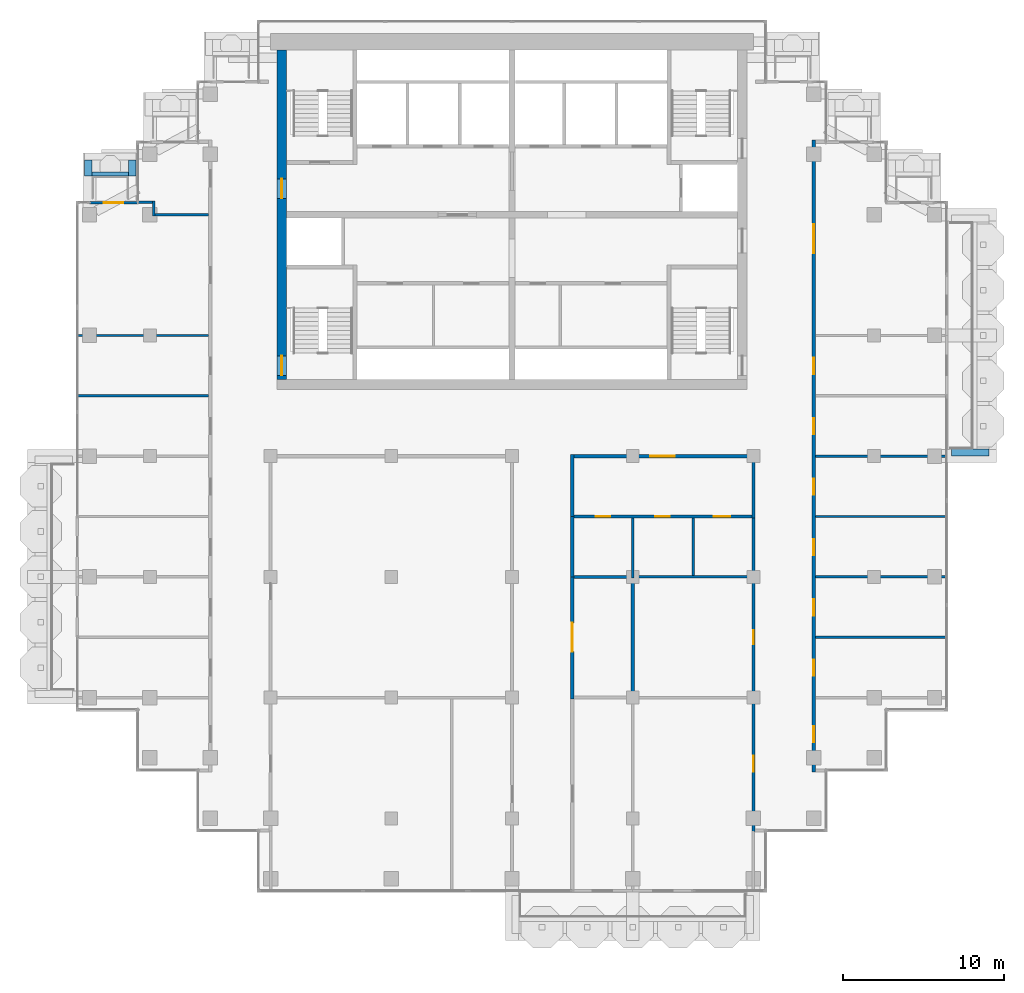
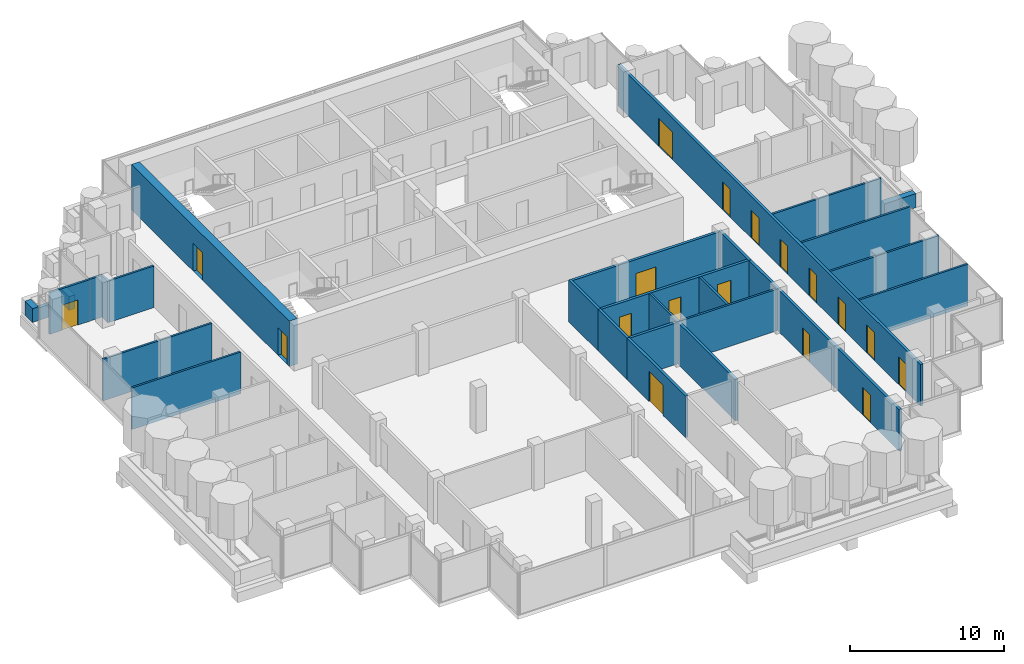
# One storey, part 12 of 19: 28 walls, 18 doors, 18 openings.
"""IFC4 building model written with IfcOpenShell, lengths in metres."""

from ifc_helpers import new_model, si_unit, direction, frame, frame_2d, origin, place, context, subcontext, project, spatial, rectangle, extrude, material, layer, layer_set, type_object, element, fill, save


model = new_model("IFC4")

# Units and contexts
model_context = context("Model", 3, precision=1e-05, world=origin(), true_north=direction((0.0, 1.0)))
body_context = subcontext(model_context, "Body", "Model", "MODEL_VIEW")
ifc_project = project(units=[si_unit("LENGTHUNIT", "METRE"), si_unit("AREAUNIT", "SQUARE_METRE"), si_unit("VOLUMEUNIT", "CUBIC_METRE"), si_unit("PLANEANGLEUNIT", "RADIAN"), si_unit("MASSUNIT", "GRAM", prefix="KILO")], contexts=[model_context])

# Site, building, storey
site_placement = place(None, origin())
site = spatial("IfcSite", under=ifc_project, at=site_placement, CompositionType="ELEMENT")
building_placement = place(site_placement, origin())
building = spatial("IfcBuilding", under=site, at=building_placement, Name="Pilkhan Gate Tower", CompositionType="ELEMENT")
storey_placement = place(building_placement, frame((0.0, 0.0, 239.10009765625)))
storey = spatial("IfcBuildingStorey", under=building, at=storey_placement, Name="L62", CompositionType="ELEMENT", Elevation=239.10009765625)

# Walls
ifc_material_1 = material(Name="Concrete C40/50", Category="concrete")
ifc_layer_1 = layer(ifc_material_1, 0.25)
ifc_layer_set_1 = layer_set([ifc_layer_1], Name="Balcony planter BP250")
wall_type_1 = type_object("IfcWallType", Name="Balcony planter BP250", PredefinedType="USERDEFINED", material=ifc_layer_set_1)
wall_1_placement = place(storey_placement, frame((48.89990234375, 85.02490234375, 0.0), z_axis=(0.0, 0.0, 1.0), x_axis=(1.0, 0.0, 0.0)))
element("IfcWall", 1, at=wall_1_placement, inside=storey, type_object=wall_type_1, Name="Balcony planter L62 N", ObjectType="BALCONY PLANTER", PredefinedType="USERDEFINED", context=body_context, shape_type="SweptSolid", body=[
    extrude(rectangle(XDim=2.280029296875, YDim=0.25, at=frame_2d((1.14013671875, 0.0))), origin(), (0.0, 0.0, 1.0), 1.0),
])
ifc_material_2 = material(Name="Board-marked Concrete C40/50", Category="concrete")
ifc_layer_2 = layer(ifc_material_2, 0.449951171875)
ifc_layer_set_2 = layer_set([ifc_layer_2], Name="Balcony planter lip BL450")
wall_type_2 = type_object("IfcWallType", Name="Balcony planter lip BL450", PredefinedType="USERDEFINED", material=ifc_layer_set_2)
wall_2_placement = place(storey_placement, frame((102.300048828125, 67.72509765625, 0.0), z_axis=(0.0, 0.0, 1.0), x_axis=(1.0, 0.0, 0.0)))
element("IfcWall", 2, at=wall_2_placement, inside=storey, type_object=wall_type_2, Name="Balcony planter L62 E", ObjectType="BALCONY PLANTER", PredefinedType="USERDEFINED", context=body_context, shape_type="SweptSolid", body=[
    extrude(rectangle(XDim=2.349853515625, YDim=0.449951171875, at=frame_2d((1.1748046875, 0.0))), origin(), (0.0, 0.0, 1.0), 1.099853515625),
])
for number, where, z_axis, x_axis, name in (
    (3, (48.675048828125, 84.89990234375, 0.0), (0.0, 0.0, 1.0), (0.0, 1.0, 0.0), "Balcony planter L62 N"),
    (4, (51.405029296875, 84.89990234375, 0.0), (0.0, 0.0, 1.0), (0.0, 1.0, 0.0), "Balcony planter L62 N"),
):
    element("IfcWall", number, at=place(storey_placement, frame(where, z_axis=z_axis, x_axis=x_axis)), inside=storey, type_object=wall_type_2, Name=name, ObjectType="BALCONY PLANTER", PredefinedType="USERDEFINED", context=body_context, shape_type="SweptSolid", body=[
        extrude(rectangle(XDim=1.0, YDim=0.449951171875, at=frame_2d((0.5, 0.0))), origin(), (0.0, 0.0, 1.0), 1.099853515625),
    ])

# Wall, openings, doors
ifc_material_3 = material(Name="Concrete C50/60", Category="concrete")
ifc_layer_3 = layer(ifc_material_3, 0.60009765625)
ifc_layer_set_3 = layer_set([ifc_layer_3], Name="Core wall CW600 C50/60")
wall_type_3 = type_object("IfcWallType", Name="Core wall CW600 C50/60", PredefinedType="SHEAR", material=ifc_layer_set_3)
wall_3_placement = place(storey_placement, frame((60.699951171875, 92.75, 0.0), z_axis=(0.0, 0.0, 1.0), x_axis=(0.0, -1.0, 0.0)))
wall_3 = element("IfcWall", 5, at=wall_3_placement, inside=storey, type_object=wall_type_3, Name="Core wall W L62", PredefinedType="SHEAR", context=body_context, shape_type="SweptSolid", body=[
    extrude(rectangle(XDim=20.5, YDim=0.60009765625, at=frame_2d((10.25, 0.0))), origin(), (0.0, 0.0, 1.0), 3.599853515625),
])
opening_1_placement = place(wall_3_placement, frame((19.02490234375, 0.0, 0.0)))
opening_1 = element("IfcOpeningElement", 6, at=opening_1_placement, cuts=wall_3, Name="Opening L62-04", PredefinedType="OPENING", context=body_context, shape_type="SweptSolid", body=[
    extrude(rectangle(XDim=1.199951171875, YDim=2.199951171875, at=frame_2d((0.60009765625, 1.10009765625))), frame((0.0, 0.31005859375, 0.0), z_axis=(0.0, -1.0, 0.0), x_axis=(1.0, 0.0, 0.0)), (0.0, 0.0, 1.0), 0.6201171875),
])
opening_2_placement = place(wall_3_placement, frame((8.02490234375, 0.0, 0.0)))
opening_2 = element("IfcOpeningElement", 7, at=opening_2_placement, cuts=wall_3, Name="Opening L62-07", PredefinedType="OPENING", context=body_context, shape_type="SweptSolid", body=[
    extrude(rectangle(XDim=1.199951171875, YDim=2.199951171875, at=frame_2d((0.60009765625, 1.10009765625))), frame((0.0, 0.31005859375, 0.0), z_axis=(0.0, -1.0, 0.0), x_axis=(1.0, 0.0, 0.0)), (0.0, 0.0, 1.0), 0.6201171875),
])
ifc_material_4 = material(Name="Steel door, 120 minute fire resisting, self-closing", Category="steel")
door_type_1 = type_object("IfcDoorType", Name="Firefighting lobby door D10 1200x2200", OperationType="SINGLE_SWING_LEFT", PredefinedType="DOOR", material=ifc_material_4)
door_1_placement = place(opening_2_placement, origin())
door_1 = element("IfcDoor", 8, at=door_1_placement, inside=storey, type_object=door_type_1, Name="Core door", OperationType="SINGLE_SWING_LEFT", OverallHeight=2.199951171875, OverallWidth=1.199951171875, PredefinedType="DOOR", context=body_context, shape_type="SweptSolid", body=[
    extrude(rectangle(XDim=1.199951171875, YDim=2.199951171875, at=frame_2d((0.60009765625, 1.10009765625))), frame((0.0, 0.02490234375, 0.0), z_axis=(0.0, -1.0, 0.0), x_axis=(1.0, 0.0, 0.0)), (0.0, 0.0, 1.0), 0.050048828125),
])
fill(opening_2, door_1)
ifc_material_5 = material(Name="Steel door, 120 minute fire resisting, panic bar", Category="steel")
door_type_2 = type_object("IfcDoorType", Name="Stair door D11 1200x2200", OperationType="SINGLE_SWING_LEFT", PredefinedType="DOOR", material=ifc_material_5)
door_2_placement = place(opening_1_placement, origin())
door_2 = element("IfcDoor", 9, at=door_2_placement, inside=storey, type_object=door_type_2, Name="Stair ST2 door", OperationType="SINGLE_SWING_LEFT", OverallHeight=2.199951171875, OverallWidth=1.199951171875, PredefinedType="DOOR", context=body_context, shape_type="SweptSolid", body=[
    extrude(rectangle(XDim=1.199951171875, YDim=2.199951171875, at=frame_2d((0.60009765625, 1.10009765625))), frame((0.0, 0.02490234375, 0.0), z_axis=(0.0, -1.0, 0.0), x_axis=(1.0, 0.0, 0.0)), (0.0, 0.0, 1.0), 0.050048828125),
])
fill(opening_1, door_2)

# Wall
ifc_material_6 = material(Name="Dense blockwork", Category="masonry")
ifc_layer_4 = layer(ifc_material_6, 0.199951171875)
ifc_layer_set_4 = layer_set([ifc_layer_4], Name="Corridor wall FW200")
wall_type_4 = type_object("IfcWallType", Name="Corridor wall FW200", PredefinedType="PARTITIONING", material=ifc_layer_set_4)
wall_4_placement = place(storey_placement, frame((78.75, 60.0, 0.0), z_axis=(0.0, 0.0, 1.0), x_axis=(0.0, 1.0, 0.0)))
element("IfcWall", 10, at=wall_4_placement, inside=storey, type_object=wall_type_4, Name="Partition L62", PredefinedType="PARTITIONING", context=body_context, shape_type="SweptSolid", body=[
    extrude(rectangle(XDim=3.75, YDim=0.199951171875, at=frame_2d((1.875, 0.0))), origin(), (0.0, 0.0, 1.0), 3.2998046875),
])

# Wall, openings, doors
wall_5_placement = place(storey_placement, frame((90.0, 44.135009765625, 0.0), z_axis=(0.0, 0.0, 1.0), x_axis=(0.0, 1.0, 0.0)))
wall_5 = element("IfcWall", 11, at=wall_5_placement, inside=storey, type_object=wall_type_4, Name="Partition L62", PredefinedType="PARTITIONING", context=body_context, shape_type="SweptSolid", body=[
    extrude(rectangle(XDim=19.614990234375, YDim=0.199951171875, at=frame_2d((9.8076171875, 0.0))), origin(), (0.0, 0.0, 1.0), 3.2998046875),
])
opening_3_placement = place(wall_5_placement, frame((3.75, 0.0, 0.0)))
opening_3 = element("IfcOpeningElement", 12, at=opening_3_placement, cuts=wall_5, Name="Opening L62-20", PredefinedType="OPENING", context=body_context, shape_type="SweptSolid", body=[
    extrude(rectangle(XDim=1.0, YDim=2.199951171875, at=frame_2d((0.5, 1.10009765625))), frame((0.0, 0.10986328125, 0.0), z_axis=(0.0, -1.0, 0.0), x_axis=(1.0, 0.0, 0.0)), (0.0, 0.0, 1.0), 0.219970703125),
])
opening_4_placement = place(wall_5_placement, frame((11.6650390625, 0.0, 0.0)))
opening_4 = element("IfcOpeningElement", 13, at=opening_4_placement, cuts=wall_5, Name="Opening L62-22", PredefinedType="OPENING", context=body_context, shape_type="SweptSolid", body=[
    extrude(rectangle(XDim=0.89990234375, YDim=2.199951171875, at=frame_2d((0.449951171875, 1.10009765625))), frame((0.0, 0.10986328125, 0.0), z_axis=(0.0, -1.0, 0.0), x_axis=(1.0, 0.0, 0.0)), (0.0, 0.0, 1.0), 0.219970703125),
])
ifc_material_7 = material(Name="Timber flush door, 30 minute fire resisting", Category="wood")
door_type_3 = type_object("IfcDoorType", Name="Room door D03 1000x2200", OperationType="SINGLE_SWING_LEFT", PredefinedType="DOOR", material=ifc_material_7)
door_3_placement = place(opening_3_placement, origin())
door_3 = element("IfcDoor", 14, at=door_3_placement, inside=storey, type_object=door_type_3, Name="Room door", OperationType="SINGLE_SWING_LEFT", OverallHeight=2.199951171875, OverallWidth=1.0, PredefinedType="DOOR", context=body_context, shape_type="SweptSolid", body=[
    extrude(rectangle(XDim=1.0, YDim=2.199951171875, at=frame_2d((0.5, 1.10009765625))), frame((0.0, 0.02490234375, 0.0), z_axis=(0.0, -1.0, 0.0), x_axis=(1.0, 0.0, 0.0)), (0.0, 0.0, 1.0), 0.050048828125),
])
fill(opening_3, door_3)
ifc_material_8 = material(Name="Timber flush door, 60 minute fire resisting, self-closing", Category="wood")
door_type_4 = type_object("IfcDoorType", Name="Store door D05 900x2200", OperationType="SINGLE_SWING_LEFT", PredefinedType="DOOR", material=ifc_material_8)
door_4_placement = place(opening_4_placement, origin())
door_4 = element("IfcDoor", 15, at=door_4_placement, inside=storey, type_object=door_type_4, Name="Store door", OperationType="SINGLE_SWING_LEFT", OverallHeight=2.199951171875, OverallWidth=0.89990234375, PredefinedType="DOOR", context=body_context, shape_type="SweptSolid", body=[
    extrude(rectangle(XDim=0.89990234375, YDim=2.199951171875, at=frame_2d((0.449951171875, 1.10009765625))), frame((0.0, 0.02490234375, 0.0), z_axis=(0.0, -1.0, 0.0), x_axis=(1.0, 0.0, 0.0)), (0.0, 0.0, 1.0), 0.050048828125),
])
fill(opening_4, door_4)

wall_6_placement = place(storey_placement, frame((93.75, 47.8701171875, 0.0), z_axis=(0.0, 0.0, 1.0), x_axis=(0.0, 1.0, 0.0)))
wall_6 = element("IfcWall", 16, at=wall_6_placement, inside=storey, type_object=wall_type_4, Name="Partition L62", PredefinedType="PARTITIONING", context=body_context, shape_type="SweptSolid", body=[
    extrude(rectangle(XDim=39.259765625, YDim=0.199951171875, at=frame_2d((19.6298828125, 0.0))), origin(), (0.0, 0.0, 1.0), 3.2998046875),
])
opening_5_placement = place(wall_6_placement, frame((1.85009765625, 0.0, 0.0)))
opening_5 = element("IfcOpeningElement", 17, at=opening_5_placement, cuts=wall_6, Name="Opening L62-30", PredefinedType="OPENING", context=body_context, shape_type="SweptSolid", body=[
    extrude(rectangle(XDim=1.0, YDim=2.199951171875, at=frame_2d((0.5, 1.10009765625))), frame((0.0, 0.10986328125, 0.0), z_axis=(0.0, -1.0, 0.0), x_axis=(1.0, 0.0, 0.0)), (0.0, 0.0, 1.0), 0.219970703125),
])
opening_6_placement = place(wall_6_placement, frame((5.97998046875, 0.0, 0.0)))
opening_6 = element("IfcOpeningElement", 18, at=opening_6_placement, cuts=wall_6, Name="Opening L62-31", PredefinedType="OPENING", context=body_context, shape_type="SweptSolid", body=[
    extrude(rectangle(XDim=1.0, YDim=2.199951171875, at=frame_2d((0.5, 1.10009765625))), frame((0.0, 0.10986328125, 0.0), z_axis=(0.0, -1.0, 0.0), x_axis=(1.0, 0.0, 0.0)), (0.0, 0.0, 1.0), 0.219970703125),
])
opening_7_placement = place(wall_6_placement, frame((9.72998046875, 0.0, 0.0)))
opening_7 = element("IfcOpeningElement", 19, at=opening_7_placement, cuts=wall_6, Name="Opening L62-32", PredefinedType="OPENING", context=body_context, shape_type="SweptSolid", body=[
    extrude(rectangle(XDim=1.0, YDim=2.199951171875, at=frame_2d((0.5, 1.10009765625))), frame((0.0, 0.10986328125, 0.0), z_axis=(0.0, -1.0, 0.0), x_axis=(1.0, 0.0, 0.0)), (0.0, 0.0, 1.0), 0.219970703125),
])
opening_8_placement = place(wall_6_placement, frame((13.47998046875, 0.0, 0.0)))
opening_8 = element("IfcOpeningElement", 20, at=opening_8_placement, cuts=wall_6, Name="Opening L62-33", PredefinedType="OPENING", context=body_context, shape_type="SweptSolid", body=[
    extrude(rectangle(XDim=1.0, YDim=2.199951171875, at=frame_2d((0.5, 1.10009765625))), frame((0.0, 0.10986328125, 0.0), z_axis=(0.0, -1.0, 0.0), x_axis=(1.0, 0.0, 0.0)), (0.0, 0.0, 1.0), 0.219970703125),
])
opening_9_placement = place(wall_6_placement, frame((17.22998046875, 0.0, 0.0)))
opening_9 = element("IfcOpeningElement", 21, at=opening_9_placement, cuts=wall_6, Name="Opening L62-34", PredefinedType="OPENING", context=body_context, shape_type="SweptSolid", body=[
    extrude(rectangle(XDim=1.0, YDim=2.199951171875, at=frame_2d((0.5, 1.10009765625))), frame((0.0, 0.10986328125, 0.0), z_axis=(0.0, -1.0, 0.0), x_axis=(1.0, 0.0, 0.0)), (0.0, 0.0, 1.0), 0.219970703125),
])
opening_10_placement = place(wall_6_placement, frame((20.97998046875, 0.0, 0.0)))
opening_10 = element("IfcOpeningElement", 22, at=opening_10_placement, cuts=wall_6, Name="Opening L62-35", PredefinedType="OPENING", context=body_context, shape_type="SweptSolid", body=[
    extrude(rectangle(XDim=1.0, YDim=2.199951171875, at=frame_2d((0.5, 1.10009765625))), frame((0.0, 0.10986328125, 0.0), z_axis=(0.0, -1.0, 0.0), x_axis=(1.0, 0.0, 0.0)), (0.0, 0.0, 1.0), 0.219970703125),
])
opening_11_placement = place(wall_6_placement, frame((24.72998046875, 0.0, 0.0)))
opening_11 = element("IfcOpeningElement", 23, at=opening_11_placement, cuts=wall_6, Name="Opening L62-36", PredefinedType="OPENING", context=body_context, shape_type="SweptSolid", body=[
    extrude(rectangle(XDim=1.0, YDim=2.199951171875, at=frame_2d((0.5, 1.10009765625))), frame((0.0, 0.10986328125, 0.0), z_axis=(0.0, -1.0, 0.0), x_axis=(1.0, 0.0, 0.0)), (0.0, 0.0, 1.0), 0.219970703125),
])
opening_12_placement = place(wall_6_placement, frame((32.22998046875, 0.0, 0.0)))
opening_12 = element("IfcOpeningElement", 24, at=opening_12_placement, cuts=wall_6, Name="Opening L62-39", PredefinedType="OPENING", context=body_context, shape_type="SweptSolid", body=[
    extrude(rectangle(XDim=1.800048828125, YDim=2.199951171875, at=frame_2d((0.89990234375, 1.10009765625))), frame((0.0, 0.10986328125, 0.0), z_axis=(0.0, -1.0, 0.0), x_axis=(1.0, 0.0, 0.0)), (0.0, 0.0, 1.0), 0.219970703125),
])
ifc_material_9 = material(Name="Timber glazed double door, 30 minute fire resisting", Category="wood")
door_type_5 = type_object("IfcDoorType", Name="Double door D04 1800x2200", OperationType="DOUBLE_DOOR_SINGLE_SWING", PredefinedType="DOOR", material=ifc_material_9)
door_5_placement = place(opening_12_placement, origin())
door_5 = element("IfcDoor", 25, at=door_5_placement, inside=storey, type_object=door_type_5, Name="Double door", OperationType="DOUBLE_DOOR_SINGLE_SWING", OverallHeight=2.199951171875, OverallWidth=1.800048828125, PredefinedType="DOOR", context=body_context, shape_type="SweptSolid", body=[
    extrude(rectangle(XDim=1.800048828125, YDim=2.199951171875, at=frame_2d((0.89990234375, 1.10009765625))), frame((0.0, 0.02490234375, 0.0), z_axis=(0.0, -1.0, 0.0), x_axis=(1.0, 0.0, 0.0)), (0.0, 0.0, 1.0), 0.050048828125),
])
fill(opening_12, door_5)
door_6_placement = place(opening_5_placement, origin())
door_6 = element("IfcDoor", 26, at=door_6_placement, inside=storey, type_object=door_type_3, Name="Room door", OperationType="SINGLE_SWING_RIGHT", OverallHeight=2.199951171875, OverallWidth=1.0, PredefinedType="DOOR", context=body_context, shape_type="SweptSolid", body=[
    extrude(rectangle(XDim=1.0, YDim=2.199951171875, at=frame_2d((0.5, 1.10009765625))), frame((0.0, 0.02490234375, 0.0), z_axis=(0.0, -1.0, 0.0), x_axis=(1.0, 0.0, 0.0)), (0.0, 0.0, 1.0), 0.050048828125),
])
fill(opening_5, door_6)
door_7_placement = place(opening_6_placement, origin())
door_7 = element("IfcDoor", 27, at=door_7_placement, inside=storey, type_object=door_type_3, Name="Room door", OperationType="SINGLE_SWING_LEFT", OverallHeight=2.199951171875, OverallWidth=1.0, PredefinedType="DOOR", context=body_context, shape_type="SweptSolid", body=[
    extrude(rectangle(XDim=1.0, YDim=2.199951171875, at=frame_2d((0.5, 1.10009765625))), frame((0.0, 0.02490234375, 0.0), z_axis=(0.0, -1.0, 0.0), x_axis=(1.0, 0.0, 0.0)), (0.0, 0.0, 1.0), 0.050048828125),
])
fill(opening_6, door_7)
door_8_placement = place(opening_7_placement, origin())
door_8 = element("IfcDoor", 28, at=door_8_placement, inside=storey, type_object=door_type_3, Name="Room door", OperationType="SINGLE_SWING_LEFT", OverallHeight=2.199951171875, OverallWidth=1.0, PredefinedType="DOOR", context=body_context, shape_type="SweptSolid", body=[
    extrude(rectangle(XDim=1.0, YDim=2.199951171875, at=frame_2d((0.5, 1.10009765625))), frame((0.0, 0.02490234375, 0.0), z_axis=(0.0, -1.0, 0.0), x_axis=(1.0, 0.0, 0.0)), (0.0, 0.0, 1.0), 0.050048828125),
])
fill(opening_7, door_8)
door_9_placement = place(opening_8_placement, origin())
door_9 = element("IfcDoor", 29, at=door_9_placement, inside=storey, type_object=door_type_3, Name="Room door", OperationType="SINGLE_SWING_RIGHT", OverallHeight=2.199951171875, OverallWidth=1.0, PredefinedType="DOOR", context=body_context, shape_type="SweptSolid", body=[
    extrude(rectangle(XDim=1.0, YDim=2.199951171875, at=frame_2d((0.5, 1.10009765625))), frame((0.0, 0.02490234375, 0.0), z_axis=(0.0, -1.0, 0.0), x_axis=(1.0, 0.0, 0.0)), (0.0, 0.0, 1.0), 0.050048828125),
])
fill(opening_8, door_9)
door_10_placement = place(opening_9_placement, origin())
door_10 = element("IfcDoor", 30, at=door_10_placement, inside=storey, type_object=door_type_3, Name="Room door", OperationType="SINGLE_SWING_LEFT", OverallHeight=2.199951171875, OverallWidth=1.0, PredefinedType="DOOR", context=body_context, shape_type="SweptSolid", body=[
    extrude(rectangle(XDim=1.0, YDim=2.199951171875, at=frame_2d((0.5, 1.10009765625))), frame((0.0, 0.02490234375, 0.0), z_axis=(0.0, -1.0, 0.0), x_axis=(1.0, 0.0, 0.0)), (0.0, 0.0, 1.0), 0.050048828125),
])
fill(opening_9, door_10)
door_11_placement = place(opening_10_placement, origin())
door_11 = element("IfcDoor", 31, at=door_11_placement, inside=storey, type_object=door_type_3, Name="Room door", OperationType="SINGLE_SWING_LEFT", OverallHeight=2.199951171875, OverallWidth=1.0, PredefinedType="DOOR", context=body_context, shape_type="SweptSolid", body=[
    extrude(rectangle(XDim=1.0, YDim=2.199951171875, at=frame_2d((0.5, 1.10009765625))), frame((0.0, 0.02490234375, 0.0), z_axis=(0.0, -1.0, 0.0), x_axis=(1.0, 0.0, 0.0)), (0.0, 0.0, 1.0), 0.050048828125),
])
fill(opening_10, door_11)
door_12_placement = place(opening_11_placement, origin())
door_12 = element("IfcDoor", 32, at=door_12_placement, inside=storey, type_object=door_type_3, Name="Room door", OperationType="SINGLE_SWING_RIGHT", OverallHeight=2.199951171875, OverallWidth=1.0, PredefinedType="DOOR", context=body_context, shape_type="SweptSolid", body=[
    extrude(rectangle(XDim=1.0, YDim=2.199951171875, at=frame_2d((0.5, 1.10009765625))), frame((0.0, 0.02490234375, 0.0), z_axis=(0.0, -1.0, 0.0), x_axis=(1.0, 0.0, 0.0)), (0.0, 0.0, 1.0), 0.050048828125),
])
fill(opening_11, door_12)

# Wall, opening, door
ifc_material_10 = material(Name="Pale anodised aluminium, clear laminated glazing", Category="aluminium")
ifc_layer_5 = layer(ifc_material_10, 0.14990234375)
ifc_layer_set_5 = layer_set([ifc_layer_5], Name="Facade infill wall IW150")
wall_type_5 = type_object("IfcWallType", Name="Facade infill wall IW150", PredefinedType="SOLIDWALL", material=ifc_layer_set_5)
wall_7_placement = place(storey_placement, frame((48.75, 83.25, 0.0), z_axis=(0.0, 0.0, 1.0), x_axis=(1.0, 0.0, 0.0)))
wall_7 = element("IfcWall", 33, at=wall_7_placement, inside=storey, type_object=wall_type_5, Name="Infill wall L62 N", PredefinedType="SOLIDWALL", context=body_context, shape_type="SweptSolid", body=[
    extrude(rectangle(XDim=3.0, YDim=0.14990234375, at=frame_2d((1.5, 0.0))), origin(), (0.0, 0.0, 1.0), 3.2998046875),
])
opening_13_placement = place(wall_7_placement, frame((0.89990234375, 0.0, 0.0)))
opening_13 = element("IfcOpeningElement", 34, at=opening_13_placement, cuts=wall_7, Name="Opening D1L", PredefinedType="OPENING", context=body_context, shape_type="SweptSolid", body=[
    extrude(rectangle(XDim=1.199951171875, YDim=2.0, at=frame_2d((0.60009765625, 1.0))), frame((0.0, 0.0849609375, 0.0), z_axis=(0.0, -1.0, 0.0), x_axis=(1.0, 0.0, 0.0)), (0.0, 0.0, 1.0), 0.169921875),
])
ifc_material_11 = material(Name="Pale anodised aluminium, clear glazing", Category="aluminium")
door_type_6 = type_object("IfcDoorType", Name="Balcony door D1L 1200x2000", OperationType="SINGLE_SWING_LEFT", PredefinedType="DOOR", material=ifc_material_11)
door_13_placement = place(opening_13_placement, origin())
door_13 = element("IfcDoor", 35, at=door_13_placement, inside=storey, type_object=door_type_6, Name="Balcony door L62", OperationType="SINGLE_SWING_LEFT", OverallHeight=2.0, OverallWidth=1.199951171875, PredefinedType="DOOR", context=body_context, shape_type="SweptSolid", body=[
    extrude(rectangle(XDim=1.199951171875, YDim=2.0, at=frame_2d((0.60009765625, 1.0))), frame((0.0, 0.02490234375, 0.0), z_axis=(0.0, -1.0, 0.0), x_axis=(1.0, 0.0, 0.0)), (0.0, 0.0, 1.0), 0.050048828125),
])
fill(opening_13, door_13)

# Wall
ifc_layer_6 = layer(ifc_material_6, 0.199951171875)
ifc_layer_set_6 = layer_set([ifc_layer_6], Name="Lobby wall LW200")
wall_type_6 = type_object("IfcWallType", Name="Lobby wall LW200", PredefinedType="PARTITIONING", material=ifc_layer_set_6)
wall_8_placement = place(storey_placement, frame((78.85009765625, 60.0, 0.0), z_axis=(0.0, 0.0, 1.0), x_axis=(1.0, 0.0, 0.0)))
element("IfcWall", 36, at=wall_8_placement, inside=storey, type_object=wall_type_6, Name="Partition L62", PredefinedType="PARTITIONING", context=body_context, shape_type="SweptSolid", body=[
    extrude(rectangle(XDim=3.5498046875, YDim=0.199951171875, at=frame_2d((1.77490234375, 0.0))), origin(), (0.0, 0.0, 1.0), 3.2998046875),
])

# Wall, openings, doors
wall_9_placement = place(storey_placement, frame((78.85009765625, 63.75, 0.0), z_axis=(0.0, 0.0, 1.0), x_axis=(1.0, 0.0, 0.0)))
wall_9 = element("IfcWall", 37, at=wall_9_placement, inside=storey, type_object=wall_type_6, Name="Partition L62", PredefinedType="PARTITIONING", context=body_context, shape_type="SweptSolid", body=[
    extrude(rectangle(XDim=11.0498046875, YDim=0.199951171875, at=frame_2d((5.52490234375, 0.0))), origin(), (0.0, 0.0, 1.0), 3.2998046875),
])
opening_14_placement = place(wall_9_placement, frame((1.35009765625, 0.0, 0.0)))
opening_14 = element("IfcOpeningElement", 38, at=opening_14_placement, cuts=wall_9, Name="Opening L62-13", PredefinedType="OPENING", context=body_context, shape_type="SweptSolid", body=[
    extrude(rectangle(XDim=0.89990234375, YDim=2.199951171875, at=frame_2d((0.449951171875, 1.10009765625))), frame((0.0, 0.10986328125, 0.0), z_axis=(0.0, -1.0, 0.0), x_axis=(1.0, 0.0, 0.0)), (0.0, 0.0, 1.0), 0.219970703125),
])
opening_15_placement = place(wall_9_placement, frame((5.050048828125, 0.0, 0.0)))
opening_15 = element("IfcOpeningElement", 39, at=opening_15_placement, cuts=wall_9, Name="Opening L62-14", PredefinedType="OPENING", context=body_context, shape_type="SweptSolid", body=[
    extrude(rectangle(XDim=0.89990234375, YDim=2.199951171875, at=frame_2d((0.449951171875, 1.10009765625))), frame((0.0, 0.10986328125, 0.0), z_axis=(0.0, -1.0, 0.0), x_axis=(1.0, 0.0, 0.0)), (0.0, 0.0, 1.0), 0.219970703125),
])
opening_16_placement = place(wall_9_placement, frame((8.699951171875, 0.0, 0.0)))
opening_16 = element("IfcOpeningElement", 40, at=opening_16_placement, cuts=wall_9, Name="Opening L62-15", PredefinedType="OPENING", context=body_context, shape_type="SweptSolid", body=[
    extrude(rectangle(XDim=1.0, YDim=2.199951171875, at=frame_2d((0.5, 1.10009765625))), frame((0.0, 0.10986328125, 0.0), z_axis=(0.0, -1.0, 0.0), x_axis=(1.0, 0.0, 0.0)), (0.0, 0.0, 1.0), 0.219970703125),
])
ifc_material_12 = material(Name="Timber flush door, outward opening, 30 minute fire resisting", Category="wood")
door_type_7 = type_object("IfcDoorType", Name="Accessible toilet door D07 1000x2200", OperationType="SINGLE_SWING_LEFT", PredefinedType="DOOR", material=ifc_material_12)
door_14_placement = place(opening_16_placement, origin())
door_14 = element("IfcDoor", 41, at=door_14_placement, inside=storey, type_object=door_type_7, Name="Accessible toilet door", OperationType="SINGLE_SWING_RIGHT", OverallHeight=2.199951171875, OverallWidth=1.0, PredefinedType="DOOR", context=body_context, shape_type="SweptSolid", body=[
    extrude(rectangle(XDim=1.0, YDim=2.199951171875, at=frame_2d((0.5, 1.10009765625))), frame((0.0, 0.02490234375, 0.0), z_axis=(0.0, -1.0, 0.0), x_axis=(1.0, 0.0, 0.0)), (0.0, 0.0, 1.0), 0.050048828125),
])
fill(opening_16, door_14)
door_type_8 = type_object("IfcDoorType", Name="Toilet door D06 900x2200", OperationType="SINGLE_SWING_LEFT", PredefinedType="DOOR", material=ifc_material_7)
door_15_placement = place(opening_14_placement, origin())
door_15 = element("IfcDoor", 42, at=door_15_placement, inside=storey, type_object=door_type_8, Name="Toilet door", OperationType="SINGLE_SWING_RIGHT", OverallHeight=2.199951171875, OverallWidth=0.89990234375, PredefinedType="DOOR", context=body_context, shape_type="SweptSolid", body=[
    extrude(rectangle(XDim=0.89990234375, YDim=2.199951171875, at=frame_2d((0.449951171875, 1.10009765625))), frame((0.0, 0.02490234375, 0.0), z_axis=(0.0, -1.0, 0.0), x_axis=(1.0, 0.0, 0.0)), (0.0, 0.0, 1.0), 0.050048828125),
])
fill(opening_14, door_15)
door_16_placement = place(opening_15_placement, origin())
door_16 = element("IfcDoor", 43, at=door_16_placement, inside=storey, type_object=door_type_8, Name="Toilet door", OperationType="SINGLE_SWING_LEFT", OverallHeight=2.199951171875, OverallWidth=0.89990234375, PredefinedType="DOOR", context=body_context, shape_type="SweptSolid", body=[
    extrude(rectangle(XDim=0.89990234375, YDim=2.199951171875, at=frame_2d((0.449951171875, 1.10009765625))), frame((0.0, 0.02490234375, 0.0), z_axis=(0.0, -1.0, 0.0), x_axis=(1.0, 0.0, 0.0)), (0.0, 0.0, 1.0), 0.050048828125),
])
fill(opening_15, door_16)

# Wall, opening, door
wall_10_placement = place(storey_placement, frame((78.85009765625, 67.5, 0.0), z_axis=(0.0, 0.0, 1.0), x_axis=(1.0, 0.0, 0.0)))
wall_10 = element("IfcWall", 44, at=wall_10_placement, inside=storey, type_object=wall_type_6, Name="Partition L62", PredefinedType="PARTITIONING", context=body_context, shape_type="SweptSolid", body=[
    extrude(rectangle(XDim=11.0498046875, YDim=0.199951171875, at=frame_2d((5.52490234375, 0.0))), origin(), (0.0, 0.0, 1.0), 3.2998046875),
])
opening_17_placement = place(wall_10_placement, frame((4.75, 0.0, 0.0)))
opening_17 = element("IfcOpeningElement", 45, at=opening_17_placement, cuts=wall_10, Name="Opening L62-12", PredefinedType="OPENING", context=body_context, shape_type="SweptSolid", body=[
    extrude(rectangle(XDim=1.5, YDim=2.199951171875, at=frame_2d((0.75, 1.10009765625))), frame((0.0, 0.10986328125, 0.0), z_axis=(0.0, -1.0, 0.0), x_axis=(1.0, 0.0, 0.0)), (0.0, 0.0, 1.0), 0.219970703125),
])
ifc_material_13 = material(Name="Steel framed glazed door, 60 minute fire resisting", Category="steel")
door_type_9 = type_object("IfcDoorType", Name="Lobby door D09 1500x2200", OperationType="DOUBLE_DOOR_SINGLE_SWING", PredefinedType="DOOR", material=ifc_material_13)
door_17_placement = place(opening_17_placement, origin())
door_17 = element("IfcDoor", 46, at=door_17_placement, inside=storey, type_object=door_type_9, Name="Lobby door", OperationType="DOUBLE_DOOR_SINGLE_SWING", OverallHeight=2.199951171875, OverallWidth=1.5, PredefinedType="DOOR", context=body_context, shape_type="SweptSolid", body=[
    extrude(rectangle(XDim=1.5, YDim=2.199951171875, at=frame_2d((0.75, 1.10009765625))), frame((0.0, 0.02490234375, 0.0), z_axis=(0.0, -1.0, 0.0), x_axis=(1.0, 0.0, 0.0)), (0.0, 0.0, 1.0), 0.050048828125),
])
fill(opening_17, door_17)

wall_11_placement = place(storey_placement, frame((78.75, 52.39990234375, 0.0), z_axis=(0.0, 0.0, 1.0), x_axis=(0.0, 1.0, 0.0)))
wall_11 = element("IfcWall", 47, at=wall_11_placement, inside=storey, type_object=wall_type_6, Name="Partition L62", PredefinedType="PARTITIONING", context=body_context, shape_type="SweptSolid", body=[
    extrude(rectangle(XDim=7.7001953125, YDim=0.199951171875, at=frame_2d((3.85009765625, 0.0))), origin(), (0.0, 0.0, 1.0), 3.2998046875),
])
opening_18_placement = place(wall_11_placement, frame((2.949951171875, 0.0, 0.0)))
opening_18 = element("IfcOpeningElement", 48, at=opening_18_placement, cuts=wall_11, Name="Opening L62-21", PredefinedType="OPENING", context=body_context, shape_type="SweptSolid", body=[
    extrude(rectangle(XDim=1.800048828125, YDim=2.39990234375, at=frame_2d((0.89990234375, 1.199951171875))), frame((0.0, 0.10986328125, 0.0), z_axis=(0.0, -1.0, 0.0), x_axis=(1.0, 0.0, 0.0)), (0.0, 0.0, 1.0), 0.219970703125),
])
ifc_material_14 = material(Name="Steel door, 120 minute fire resisting", Category="steel")
door_type_10 = type_object("IfcDoorType", Name="Plant room door D08 1800x2400", OperationType="DOUBLE_DOOR_SINGLE_SWING", PredefinedType="DOOR", material=ifc_material_14)
door_18_placement = place(opening_18_placement, origin())
door_18 = element("IfcDoor", 49, at=door_18_placement, inside=storey, type_object=door_type_10, Name="Plant room door", OperationType="DOUBLE_DOOR_SINGLE_SWING", OverallHeight=2.39990234375, OverallWidth=1.800048828125, PredefinedType="DOOR", context=body_context, shape_type="SweptSolid", body=[
    extrude(rectangle(XDim=1.800048828125, YDim=2.39990234375, at=frame_2d((0.89990234375, 1.199951171875))), frame((0.0, 0.02490234375, 0.0), z_axis=(0.0, -1.0, 0.0), x_axis=(1.0, 0.0, 0.0)), (0.0, 0.0, 1.0), 0.050048828125),
])
fill(opening_18, door_18)

# Walls
wall_12_placement = place(storey_placement, frame((78.75, 63.64990234375, 0.0), z_axis=(0.0, 0.0, 1.0), x_axis=(0.0, 1.0, 0.0)))
element("IfcWall", 50, at=wall_12_placement, inside=storey, type_object=wall_type_6, Name="Partition L62", PredefinedType="PARTITIONING", context=body_context, shape_type="SweptSolid", body=[
    extrude(rectangle(XDim=3.9501953125, YDim=0.199951171875, at=frame_2d((1.97509765625, 0.0))), origin(), (0.0, 0.0, 1.0), 3.2998046875),
])
wall_13_placement = place(storey_placement, frame((82.5, 52.39990234375, 0.0), z_axis=(0.0, 0.0, 1.0), x_axis=(0.0, 1.0, 0.0)))
element("IfcWall", 51, at=wall_13_placement, inside=storey, type_object=wall_type_6, Name="Partition L62", PredefinedType="PARTITIONING", context=body_context, shape_type="SweptSolid", body=[
    extrude(rectangle(XDim=7.7001953125, YDim=0.199951171875, at=frame_2d((3.85009765625, 0.0))), origin(), (0.0, 0.0, 1.0), 3.2998046875),
])
wall_14_placement = place(storey_placement, frame((90.0, 63.64990234375, 0.0), z_axis=(0.0, 0.0, 1.0), x_axis=(0.0, 1.0, 0.0)))
element("IfcWall", 52, at=wall_14_placement, inside=storey, type_object=wall_type_6, Name="Partition L62", PredefinedType="PARTITIONING", context=body_context, shape_type="SweptSolid", body=[
    extrude(rectangle(XDim=3.9501953125, YDim=0.199951171875, at=frame_2d((1.97509765625, 0.0))), origin(), (0.0, 0.0, 1.0), 3.2998046875),
])
ifc_material_15 = material(Name="Blockwork partition, plastered both sides", Category="masonry")
ifc_layer_7 = layer(ifc_material_15, 0.14990234375)
ifc_layer_set_7 = layer_set([ifc_layer_7], Name="Partition PW150")
wall_type_7 = type_object("IfcWallType", Name="Partition PW150", PredefinedType="PARTITIONING", material=ifc_layer_set_7)
wall_15_placement = place(storey_placement, frame((93.85009765625, 56.25, 0.0), z_axis=(0.0, 0.0, 1.0), x_axis=(1.0, 0.0, 0.0)))
element("IfcWall", 53, at=wall_15_placement, inside=storey, type_object=wall_type_7, Name="Partition L62", PredefinedType="PARTITIONING", context=body_context, shape_type="SweptSolid", body=[
    extrude(rectangle(XDim=8.164794921875, YDim=0.14990234375, at=frame_2d((4.08251953125, 0.0))), origin(), (0.0, 0.0, 1.0), 3.2998046875),
])
wall_16_placement = place(storey_placement, frame((82.60009765625, 60.0, 0.0), z_axis=(0.0, 0.0, 1.0), x_axis=(1.0, 0.0, 0.0)))
element("IfcWall", 54, at=wall_16_placement, inside=storey, type_object=wall_type_7, Name="Partition L62", PredefinedType="PARTITIONING", context=body_context, shape_type="SweptSolid", body=[
    extrude(rectangle(XDim=7.2998046875, YDim=0.14990234375, at=frame_2d((3.64990234375, 0.0))), origin(), (0.0, 0.0, 1.0), 3.2998046875),
])
for number, where, z_axis, x_axis, name in (
    (55, (93.85009765625, 60.0, 0.0), (0.0, 0.0, 1.0), (1.0, 0.0, 0.0), "Partition L62"),
    (56, (93.85009765625, 63.75, 0.0), (0.0, 0.0, 1.0), (1.0, 0.0, 0.0), "Partition L62"),
    (57, (93.85009765625, 67.5, 0.0), (0.0, 0.0, 1.0), (1.0, 0.0, 0.0), "Partition L62"),
    (58, (47.985107421875, 71.25, 0.0), (0.0, 0.0, 1.0), (1.0, 0.0, 0.0), "Partition L62"),
    (59, (47.985107421875, 75.0, 0.0), (0.0, 0.0, 1.0), (1.0, 0.0, 0.0), "Partition L62"),
):
    element("IfcWall", number, at=place(storey_placement, frame(where, z_axis=z_axis, x_axis=x_axis)), inside=storey, type_object=wall_type_7, Name=name, PredefinedType="PARTITIONING", context=body_context, shape_type="SweptSolid", body=[
        extrude(rectangle(XDim=8.164794921875, YDim=0.14990234375, at=frame_2d((4.08251953125, 0.0))), origin(), (0.0, 0.0, 1.0), 3.2998046875),
    ])
wall_17_placement = place(storey_placement, frame((52.81005859375, 82.5, 0.0), z_axis=(0.0, 0.0, 1.0), x_axis=(1.0, 0.0, 0.0)))
element("IfcWall", 60, at=wall_17_placement, inside=storey, type_object=wall_type_7, Name="Partition L62", PredefinedType="PARTITIONING", context=body_context, shape_type="SweptSolid", body=[
    extrude(rectangle(XDim=3.33984375, YDim=0.14990234375, at=frame_2d((1.669921875, 0.0))), origin(), (0.0, 0.0, 1.0), 3.2998046875),
])
wall_18_placement = place(storey_placement, frame((51.760009765625, 83.264892578125, 0.0), z_axis=(0.0, 0.0, 1.0), x_axis=(1.0, 0.0, 0.0)))
element("IfcWall", 61, at=wall_18_placement, inside=storey, type_object=wall_type_7, Name="Partition L62", PredefinedType="PARTITIONING", context=body_context, shape_type="SweptSolid", body=[
    extrude(rectangle(XDim=0.89990234375, YDim=0.14990234375, at=frame_2d((0.449951171875, 0.0))), origin(), (0.0, 0.0, 1.0), 3.2998046875),
])
wall_19_placement = place(storey_placement, frame((52.735107421875, 82.425048828125, 0.0), z_axis=(0.0, 0.0, 1.0), x_axis=(0.0, 1.0, 0.0)))
element("IfcWall", 62, at=wall_19_placement, inside=storey, type_object=wall_type_7, Name="Partition L62", PredefinedType="PARTITIONING", context=body_context, shape_type="SweptSolid", body=[
    extrude(rectangle(XDim=0.9150390625, YDim=0.14990234375, at=frame_2d((0.45751953125, 0.0))), origin(), (0.0, 0.0, 1.0), 3.2998046875),
])
wall_20_placement = place(storey_placement, frame((82.5, 59.925048828125, 0.0), z_axis=(0.0, 0.0, 1.0), x_axis=(0.0, 1.0, 0.0)))
element("IfcWall", 63, at=wall_20_placement, inside=storey, type_object=wall_type_7, Name="Partition L62", PredefinedType="PARTITIONING", context=body_context, shape_type="SweptSolid", body=[
    extrude(rectangle(XDim=3.724853515625, YDim=0.14990234375, at=frame_2d((1.8623046875, 0.0))), origin(), (0.0, 0.0, 1.0), 3.2998046875),
])
wall_21_placement = place(storey_placement, frame((86.25, 60.074951171875, 0.0), z_axis=(0.0, 0.0, 1.0), x_axis=(0.0, 1.0, 0.0)))
element("IfcWall", 64, at=wall_21_placement, inside=storey, type_object=wall_type_7, Name="Partition L62", PredefinedType="PARTITIONING", context=body_context, shape_type="SweptSolid", body=[
    extrude(rectangle(XDim=3.574951171875, YDim=0.14990234375, at=frame_2d((1.78759765625, 0.0))), origin(), (0.0, 0.0, 1.0), 3.2998046875),
])

save(model, "model.ifc")
